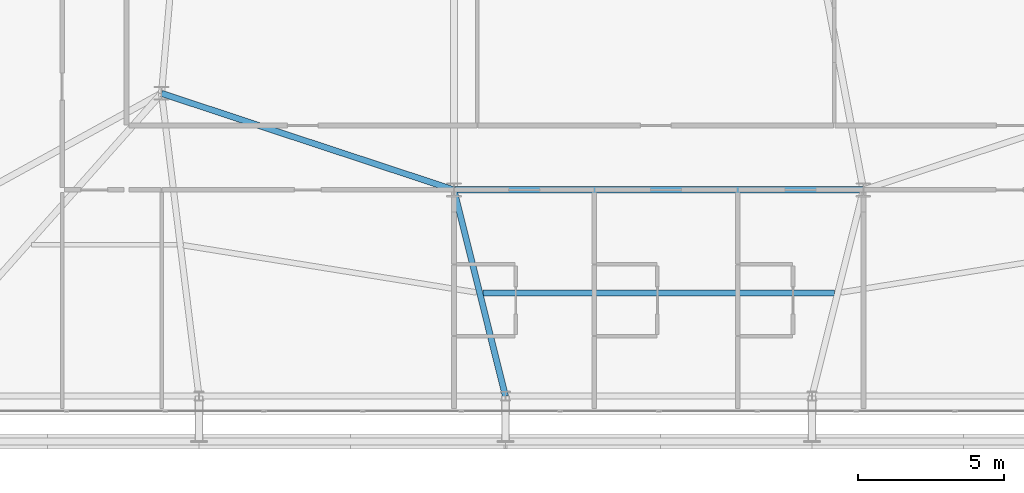
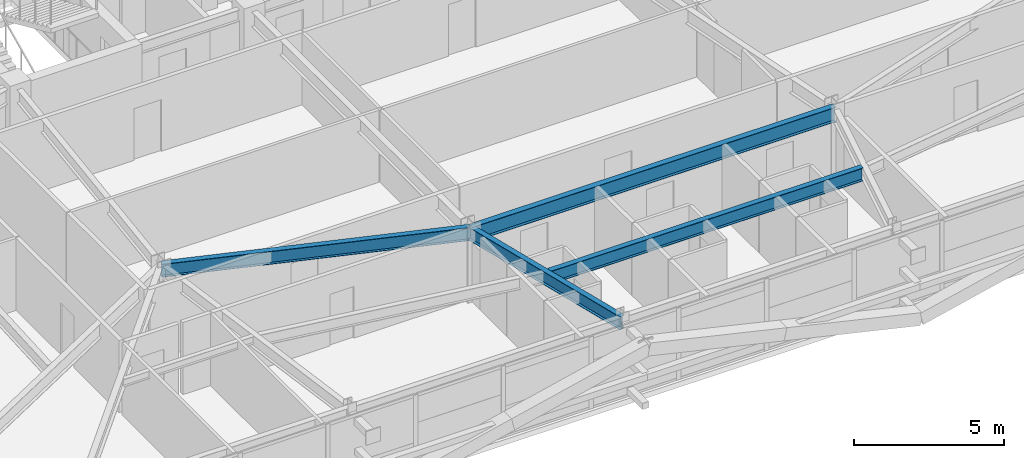
# One storey, part 13 of 59: 4 beams.
"""IFC4 building model written with IfcOpenShell, lengths in metres."""

from ifc_helpers import new_model, si_unit, direction, frame, origin, origin_2d, place, context, subcontext, project, spatial, i_section, extrude, source, transform, mapped, material, material_profile, profile_set, type_object, element, save


model = new_model("IFC4")

# Units and contexts
model_context = context("Model", 3, precision=1e-05, world=origin(), true_north=direction((0.0, 1.0)))
body_context = subcontext(model_context, "Body", "Model", "MODEL_VIEW")
ifc_project = project(units=[si_unit("LENGTHUNIT", "METRE"), si_unit("AREAUNIT", "SQUARE_METRE"), si_unit("VOLUMEUNIT", "CUBIC_METRE"), si_unit("PLANEANGLEUNIT", "RADIAN"), si_unit("MASSUNIT", "GRAM", prefix="KILO")], contexts=[model_context])

# Site, building, storey
site_placement = place(None, origin())
site = spatial("IfcSite", under=ifc_project, at=site_placement, CompositionType="ELEMENT")
building_placement = place(site_placement, origin())
building = spatial("IfcBuilding", under=site, at=building_placement, Name="Taldren Reach Tower", CompositionType="ELEMENT")
storey_placement = place(building_placement, frame((0.0, 0.0, 45.14990234375)))
storey = spatial("IfcBuildingStorey", under=building, at=storey_placement, Name="L13", CompositionType="ELEMENT", Elevation=45.14990234375)

# Beams
ifc_material = material(Name="Steel Gr 350 (350PLUS)", Category="steel")
ifc_material_profile_1 = material_profile(ifc_material, i_section(OverallWidth=0.208984375, OverallDepth=0.532958984375, WebThickness=0.01025390625, FlangeThickness=0.015625, at=origin_2d()), Name="530UB92.4")
ifc_profile_set_1 = profile_set([ifc_material_profile_1], Name="Steel Gr 350 (350PLUS)")
beam_type_1 = type_object("IfcBeamType", Name="BM-UB530A", PredefinedType="BEAM", material=ifc_profile_set_1)
shared_shape_1 = source(origin(), body_context, "Body", "SweptSolid", [
    extrude(i_section(OverallWidth=0.208984375, OverallDepth=0.532958984375, WebThickness=0.01025390625, FlangeThickness=0.015625, at=origin_2d()), origin(), (0.0, 0.0, 1.0), 10.530517578125),
])
beam_1_placement = place(storey_placement, frame((18.0, 12.5, 2.66357421875), z_axis=(0.949627269203, -0.313381635689, 0.0), x_axis=(0.313381635689, 0.949627269203, 0.0)))
element("IfcBeam", 1, at=beam_1_placement, inside=storey, type_object=beam_type_1, Name="Core-spine girder L13-SP10", PredefinedType="BEAM", context=body_context, shape_type="MappedRepresentation", body=[
    mapped(shared_shape_1, transform((0.0, 0.0, 0.0), scale=1.0)),
])
ifc_material_profile_2 = material_profile(ifc_material, i_section(OverallWidth=0.22802734375, OverallDepth=0.60205078125, WebThickness=0.010498046875, FlangeThickness=0.014892578125, at=origin_2d()), Name="610UB101")
ifc_profile_set_2 = profile_set([ifc_material_profile_2], Name="Steel Gr 350 (350PLUS)")
beam_type_2 = type_object("IfcBeamType", Name="BM-UB610B", PredefinedType="BEAM", material=ifc_profile_set_2)
shared_shape_2 = source(origin(), body_context, "Body", "SweptSolid", [
    extrude(i_section(OverallWidth=0.22802734375, OverallDepth=0.60205078125, WebThickness=0.010498046875, FlangeThickness=0.014892578125, at=origin_2d()), origin(), (0.0, 0.0, 1.0), 14.0),
])
beam_2_placement = place(storey_placement, frame((28.0, 9.199951171875, 2.629150390625), z_axis=(1.0, 0.0, 0.0), x_axis=(0.0, 1.0, 0.0)))
element("IfcBeam", 2, at=beam_2_placement, inside=storey, type_object=beam_type_2, Name="Core-spine girder L13-SP11", PredefinedType="BEAM", context=body_context, shape_type="MappedRepresentation", body=[
    mapped(shared_shape_2, transform((0.0, 0.0, 0.0), scale=1.0)),
])
shared_shape_3 = source(origin(), body_context, "Body", "SweptSolid", [
    extrude(i_section(OverallWidth=0.208984375, OverallDepth=0.532958984375, WebThickness=0.01025390625, FlangeThickness=0.015625, at=origin_2d()), origin(), (0.0, 0.0, 1.0), 7.266357421875),
])
beam_3_placement = place(storey_placement, frame((28.0, 9.199951171875, 2.66357421875), z_axis=(0.24221148493, -0.970223477642, 0.0), x_axis=(0.970223477642, 0.24221148493, 0.0)))
element("IfcBeam", 3, at=beam_3_placement, inside=storey, type_object=beam_type_1, Name="Primary floor girder B1-S3 L13", PredefinedType="BEAM", context=body_context, shape_type="MappedRepresentation", body=[
    mapped(shared_shape_3, transform((0.0, 0.0, 0.0), scale=1.0)),
])
shared_shape_4 = source(origin(), body_context, "Body", "SweptSolid", [
    extrude(i_section(OverallWidth=0.208984375, OverallDepth=0.532958984375, WebThickness=0.01025390625, FlangeThickness=0.015625, at=origin_2d()), origin(), (0.0, 0.0, 1.0), 12.0244140625),
])
beam_4_placement = place(storey_placement, frame((28.98779296875, 5.675048828125, 2.66357421875), z_axis=(1.0, 0.0, 0.0), x_axis=(0.0, 1.0, 0.0)))
element("IfcBeam", 4, at=beam_4_placement, inside=storey, type_object=beam_type_1, Name="Secondary floor beam B1 J3 L13", PredefinedType="BEAM", context=body_context, shape_type="MappedRepresentation", body=[
    mapped(shared_shape_4, transform((0.0, 0.0, 0.0), scale=1.0)),
])

save(model, "model.ifc")
